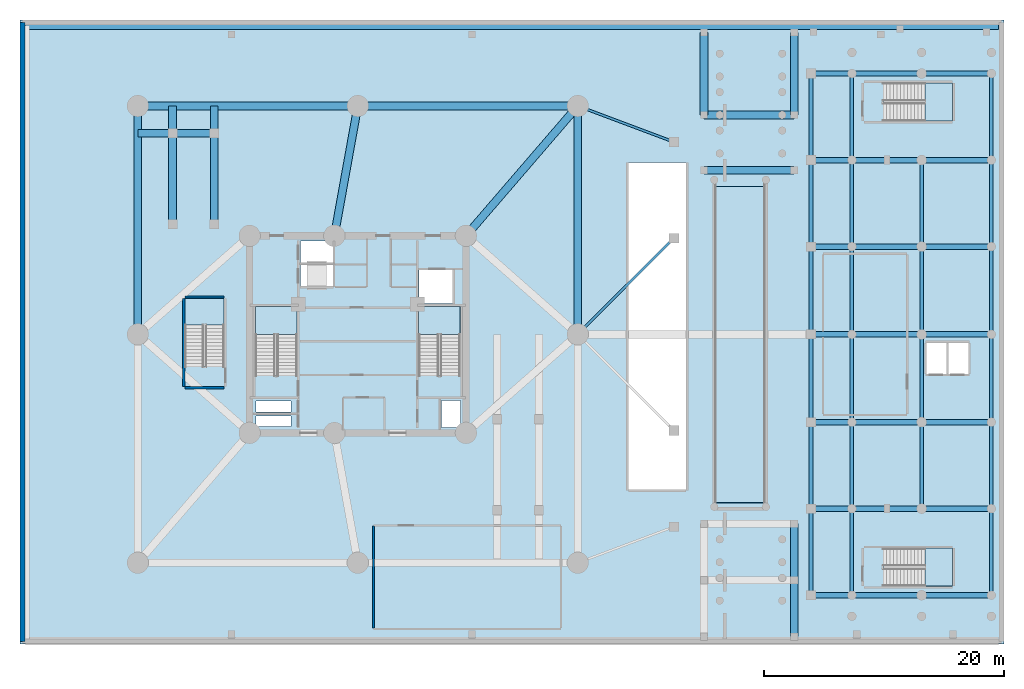
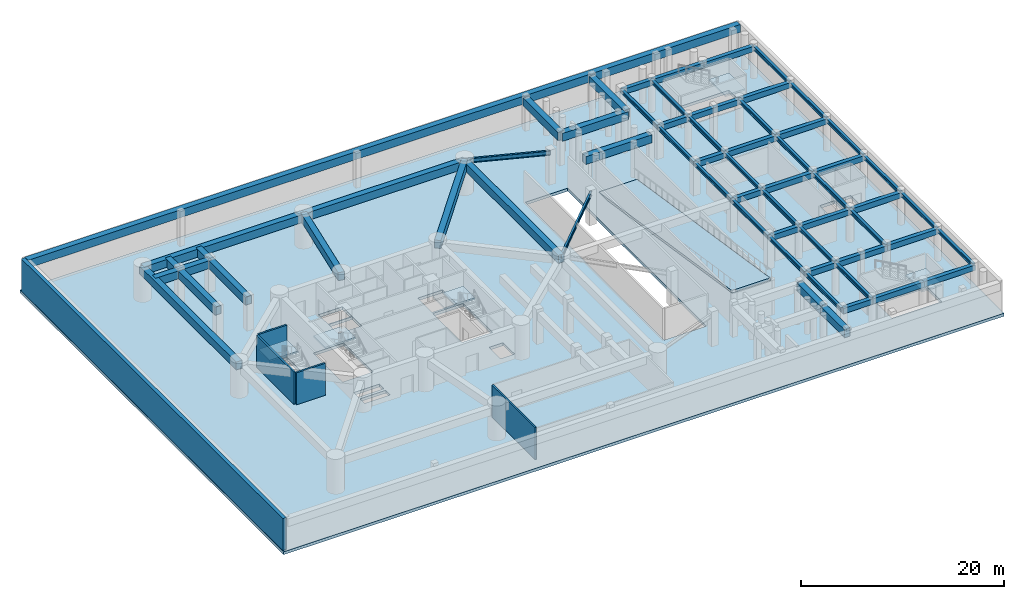
# One storey, part 2 of 11: 61 beams, 7 slabs, 5 walls, 5 elements without a shape of their own.
"""IFC4 building model written with IfcOpenShell, lengths in metres."""

from ifc_helpers import new_model, si_unit, direction, frame, frame_2d, origin, origin_with_axes, origin_2d, place, context, subcontext, project, spatial, polyline, rectangle, i_section, outline, extrude, source, transform, mapped, material, layer, layer_set, material_profile, profile_set, type_object, element, aggregate, save


model = new_model("IFC4")

# Units and contexts
model_context = context("Model", 3, precision=1e-05, world=origin(), true_north=direction((0.0, 1.0)))
body_context = subcontext(model_context, "Body", "Model", "MODEL_VIEW")
ifc_project = project(units=[si_unit("LENGTHUNIT", "METRE"), si_unit("AREAUNIT", "SQUARE_METRE"), si_unit("VOLUMEUNIT", "CUBIC_METRE"), si_unit("PLANEANGLEUNIT", "RADIAN"), si_unit("MASSUNIT", "GRAM", prefix="KILO")], contexts=[model_context])

# Site, building, storey
site_placement = place(None, origin())
site = spatial("IfcSite", under=ifc_project, at=site_placement, CompositionType="ELEMENT")
building_placement = place(site_placement, origin())
building = spatial("IfcBuilding", under=site, at=building_placement, Name="Karkom Vertical University and Central Library", CompositionType="ELEMENT")
storey_placement = place(building_placement, frame((0.0, 0.0, -4.199951171875)))
storey = spatial("IfcBuildingStorey", under=building, at=storey_placement, Name="B01", CompositionType="ELEMENT", Elevation=-4.199951171875)

# Beams
ifc_material_1 = material(Name="Concrete C50/60", Category="concrete")
ifc_material_profile_1 = material_profile(ifc_material_1, rectangle(XDim=0.64990234375, YDim=0.949951171875, at=origin_2d()), Name="RCG-650x950")
ifc_profile_set_1 = profile_set([ifc_material_profile_1], Name="Concrete C50/60")
beam_type_1 = type_object("IfcBeamType", Name="STR-BM-BG-1", PredefinedType="USERDEFINED", material=ifc_profile_set_1)
shared_shape_1 = source(origin_with_axes(), body_context, "Body", "SweptSolid", [
    extrude(rectangle(XDim=0.64990234375, YDim=0.949951171875, at=origin_2d()), origin(), (0.0, 0.0, 1.0), 18.300048828125),
])
for number, where, z_axis, x_axis, name in (
    (1, (10.199951171875, 45.5, 3.375), (1.0, 0.0, 0.0), (0.0, 1.0, 0.0), "Basement 01 Podium Primary Girder 07"),
    (2, (28.5, 45.5, 3.375), (1.0, 0.0, 0.0), (0.0, 1.0, 0.0), "Basement 01 Podium Primary Girder 08"),
):
    element("IfcBeam", number, at=place(storey_placement, frame(where, z_axis=z_axis, x_axis=x_axis)), inside=storey, type_object=beam_type_1, Name=name, ObjectType="GIRDER", PredefinedType="USERDEFINED", context=body_context, shape_type="MappedRepresentation", body=[
        mapped(shared_shape_1, transform((0.0, 0.0, 0.0), scale=1.0)),
    ])
shared_shape_2 = source(origin_with_axes(), body_context, "Body", "SweptSolid", [
    extrude(rectangle(XDim=0.64990234375, YDim=0.949951171875, at=origin_2d()), origin(), (0.0, 0.0, 1.0), 19.0),
])
for number, where, z_axis, x_axis, name in (
    (3, (10.199951171875, 26.5, 3.375), (0.0, 1.0, 0.0), (-1.0, 0.0, 0.0), "Basement 01 Podium Primary Girder 04"),
    (4, (46.800048828125, 26.5, 3.375), (0.0, 1.0, 0.0), (-1.0, 0.0, 0.0), "Basement 01 Podium Primary Girder 06"),
):
    element("IfcBeam", number, at=place(storey_placement, frame(where, z_axis=z_axis, x_axis=x_axis)), inside=storey, type_object=beam_type_1, Name=name, ObjectType="GIRDER", PredefinedType="USERDEFINED", context=body_context, shape_type="MappedRepresentation", body=[
        mapped(shared_shape_2, transform((0.0, 0.0, 0.0), scale=1.0)),
    ])
shared_shape_3 = source(origin_with_axes(), body_context, "Body", "SweptSolid", [
    extrude(rectangle(XDim=0.64990234375, YDim=0.949951171875, at=origin_2d()), origin(), (0.0, 0.0, 1.0), 14.25244140625),
])
beam_1_placement = place(storey_placement, frame((46.800048828125, 45.5, 3.375), z_axis=(-0.652523408586, -0.757768567076, 0.0), x_axis=(0.757768567076, -0.652523408586, 0.0)))
element("IfcBeam", 5, at=beam_1_placement, inside=storey, type_object=beam_type_1, Name="Basement 01 Podium Primary Girder 14", ObjectType="GIRDER", PredefinedType="USERDEFINED", context=body_context, shape_type="MappedRepresentation", body=[
    mapped(shared_shape_3, transform((0.0, 0.0, 0.0), scale=1.0)),
])
shared_shape_4 = source(origin_with_axes(), body_context, "Body", "SweptSolid", [
    extrude(rectangle(XDim=0.64990234375, YDim=0.949951171875, at=origin_2d()), origin(), (0.0, 0.0, 1.0), 10.974609375),
])
beam_2_placement = place(storey_placement, frame((28.5, 45.5, 3.375), z_axis=(-0.177677443813, -0.984088779511, 0.0), x_axis=(0.984088779511, -0.177677443813, 0.0)))
element("IfcBeam", 6, at=beam_2_placement, inside=storey, type_object=beam_type_1, Name="Basement 01 Podium Primary Girder 13", ObjectType="GIRDER", PredefinedType="USERDEFINED", context=body_context, shape_type="MappedRepresentation", body=[
    mapped(shared_shape_4, transform((0.0, 0.0, 0.0), scale=1.0)),
])
ifc_material_2 = material(Name="Steel S355", Category="steel")
ifc_material_profile_2 = material_profile(ifc_material_2, i_section(OverallWidth=0.199951171875, OverallDepth=0.5, WebThickness=0.01025390625, FlangeThickness=0.01611328125, FilletRadius=0.02099609375, at=origin_2d()), Name="IPE 500")
ifc_profile_set_2 = profile_set([ifc_material_profile_2], Name="Steel S355")
beam_type_2 = type_object("IfcBeamType", Name="STR-BM-SB-IPE500", PredefinedType="BEAM", material=ifc_profile_set_2)
shared_shape_5 = source(origin_with_axes(), body_context, "Body", "SweptSolid", [
    extrude(i_section(OverallWidth=0.199951171875, OverallDepth=0.5, WebThickness=0.01025390625, FlangeThickness=0.01611328125, FilletRadius=0.02099609375, at=origin_2d()), origin(), (0.0, 0.0, 1.0), 8.5439453125),
])
beam_3_placement = place(storey_placement, frame((46.800048828125, 45.5, 3.599853515625), z_axis=(0.936329177569, -0.351123441588, 0.0), x_axis=(0.351123441588, 0.936329177569, 0.0)))
element("IfcBeam", 7, at=beam_3_placement, inside=storey, type_object=beam_type_2, Name="Basement 01 Arcade Tie Beam 4", PredefinedType="BEAM", context=body_context, shape_type="MappedRepresentation", body=[
    mapped(shared_shape_5, transform((0.0, 0.0, 0.0), scale=1.0)),
])
shared_shape_6 = source(origin_with_axes(), body_context, "Body", "SweptSolid", [
    extrude(i_section(OverallWidth=0.199951171875, OverallDepth=0.5, WebThickness=0.01025390625, FlangeThickness=0.01611328125, FilletRadius=0.02099609375, at=origin_2d()), origin(), (0.0, 0.0, 1.0), 11.313720703125),
])
beam_4_placement = place(storey_placement, frame((46.800048828125, 26.5, 3.599853515625), z_axis=(0.707106781187, 0.707106781187, 0.0), x_axis=(-0.707106781187, 0.707106781187, 0.0)))
element("IfcBeam", 8, at=beam_4_placement, inside=storey, type_object=beam_type_2, Name="Basement 01 Arcade Tie Beam 3", PredefinedType="BEAM", context=body_context, shape_type="MappedRepresentation", body=[
    mapped(shared_shape_6, transform((0.0, 0.0, 0.0), scale=1.0)),
])
shared_shape_7 = source(origin_with_axes(), body_context, "Body", "SweptSolid", [
    extrude(rectangle(XDim=0.64990234375, YDim=0.949951171875, at=origin_2d()), origin(), (0.0, 0.0, 1.0), 80.949951171875),
])
beam_5_placement = place(storey_placement, frame((0.85009765625, 52.199951171875, 3.375), z_axis=(1.0, 0.0, 0.0), x_axis=(0.0, 1.0, 0.0)))
element("IfcBeam", 9, at=beam_5_placement, inside=storey, type_object=beam_type_1, Name="Basement 01 North Perimeter Rim Girder", ObjectType="GIRDER", PredefinedType="USERDEFINED", context=body_context, shape_type="MappedRepresentation", body=[
    mapped(shared_shape_7, transform((0.0, 0.0, 0.0), scale=1.0)),
])
shared_shape_8 = source(origin_with_axes(), body_context, "Body", "SweptSolid", [
    extrude(rectangle(XDim=0.64990234375, YDim=0.949951171875, at=origin_2d()), origin(), (0.0, 0.0, 1.0), 4.699951171875),
])
for number, where, z_axis, x_axis, name in (
    (10, (64.800048828125, 1.35009765625, 3.375), (0.0, 1.0, 0.0), (-1.0, 0.0, 0.0), "Basement 01 Forecourt Longitudinal Girder 2.1"),
    (11, (64.800048828125, 6.050048828125, 3.375), (0.0, 1.0, 0.0), (-1.0, 0.0, 0.0), "Basement 01 Forecourt Longitudinal Girder 2.2"),
):
    element("IfcBeam", number, at=place(storey_placement, frame(where, z_axis=z_axis, x_axis=x_axis)), inside=storey, type_object=beam_type_1, Name=name, ObjectType="GIRDER", PredefinedType="USERDEFINED", context=body_context, shape_type="MappedRepresentation", body=[
        mapped(shared_shape_8, transform((0.0, 0.0, 0.0), scale=1.0)),
    ])
shared_shape_9 = source(origin_with_axes(), body_context, "Body", "SweptSolid", [
    extrude(rectangle(XDim=0.64990234375, YDim=0.949951171875, at=origin_2d()), origin(), (0.0, 0.0, 1.0), 7.5),
])
for number, where, z_axis, x_axis, name in (
    (12, (57.300048828125, 40.14990234375, 3.375), (1.0, 0.0, 0.0), (0.0, 1.0, 0.0), "Basement 01 Forecourt Transverse Girder 4"),
    (13, (57.300048828125, 44.75, 3.375), (1.0, 0.0, 0.0), (0.0, 1.0, 0.0), "Basement 01 Forecourt Transverse Girder 5"),
):
    element("IfcBeam", number, at=place(storey_placement, frame(where, z_axis=z_axis, x_axis=x_axis)), inside=storey, type_object=beam_type_1, Name=name, ObjectType="GIRDER", PredefinedType="USERDEFINED", context=body_context, shape_type="MappedRepresentation", body=[
        mapped(shared_shape_9, transform((0.0, 0.0, 0.0), scale=1.0)),
    ])
shared_shape_10 = source(origin_with_axes(), body_context, "Body", "SweptSolid", [
    extrude(rectangle(XDim=0.64990234375, YDim=0.949951171875, at=origin_2d()), origin(), (0.0, 0.0, 1.0), 6.85009765625),
])
for number, where, z_axis, x_axis, name in (
    (14, (57.300048828125, 44.75, 3.375), (0.0, 1.0, 0.0), (-1.0, 0.0, 0.0), "Basement 01 Forecourt Longitudinal Girder 1.5"),
    (15, (64.800048828125, 44.75, 3.375), (0.0, 1.0, 0.0), (-1.0, 0.0, 0.0), "Basement 01 Forecourt Longitudinal Girder 2.5"),
):
    element("IfcBeam", number, at=place(storey_placement, frame(where, z_axis=z_axis, x_axis=x_axis)), inside=storey, type_object=beam_type_1, Name=name, ObjectType="GIRDER", PredefinedType="USERDEFINED", context=body_context, shape_type="MappedRepresentation", body=[
        mapped(shared_shape_10, transform((0.0, 0.0, 0.0), scale=1.0)),
    ])
ifc_material_3 = material(Name="Concrete C40/50", Category="concrete")
ifc_material_profile_3 = material_profile(ifc_material_3, rectangle(XDim=0.449951171875, YDim=0.64990234375, at=origin_2d()), Name="RCB-450x650")
ifc_profile_set_3 = profile_set([ifc_material_profile_3], Name="Concrete C40/50")
beam_type_3 = type_object("IfcBeamType", Name="STR-BM-BG-4", PredefinedType="USERDEFINED", material=ifc_profile_set_3)
shared_shape_11 = source(origin_with_axes(), body_context, "Body", "SweptSolid", [
    extrude(rectangle(XDim=0.449951171875, YDim=0.64990234375, at=origin_2d()), origin(), (0.0, 0.0, 1.0), 3.400146484375),
])
for number, where, z_axis, x_axis, name in (
    (16, (66.199951171875, 4.800048828125, 3.52490234375), (1.0, 0.0, 0.0), (0.0, 1.0, 0.0), "Basement 01 Library Transverse Girder 1.1"),
    (17, (66.199951171875, 12.0, 3.52490234375), (1.0, 0.0, 0.0), (0.0, 1.0, 0.0), "Basement 01 Library Transverse Girder 2.1"),
    (18, (66.199951171875, 19.199951171875, 3.52490234375), (1.0, 0.0, 0.0), (0.0, 1.0, 0.0), "Basement 01 Library Transverse Girder 3.1"),
    (19, (66.199951171875, 26.5, 3.52490234375), (1.0, 0.0, 0.0), (0.0, 1.0, 0.0), "Basement 01 Library Transverse Girder 4.1"),
    (20, (66.199951171875, 33.800048828125, 3.52490234375), (1.0, 0.0, 0.0), (0.0, 1.0, 0.0), "Basement 01 Library Transverse Girder 5.1"),
    (21, (66.199951171875, 41.0, 3.52490234375), (1.0, 0.0, 0.0), (0.0, 1.0, 0.0), "Basement 01 Library Transverse Girder 6.1"),
    (22, (66.199951171875, 48.199951171875, 3.52490234375), (1.0, 0.0, 0.0), (0.0, 1.0, 0.0), "Basement 01 Library Transverse Girder 7.1"),
):
    element("IfcBeam", number, at=place(storey_placement, frame(where, z_axis=z_axis, x_axis=x_axis)), inside=storey, type_object=beam_type_3, Name=name, ObjectType="GIRDER", PredefinedType="USERDEFINED", context=body_context, shape_type="MappedRepresentation", body=[
        mapped(shared_shape_11, transform((0.0, 0.0, 0.0), scale=1.0)),
    ])
shared_shape_12 = source(origin_with_axes(), body_context, "Body", "SweptSolid", [
    extrude(rectangle(XDim=0.449951171875, YDim=0.64990234375, at=origin_2d()), origin(), (0.0, 0.0, 1.0), 5.7998046875),
])
for number, where, z_axis, x_axis, name in (
    (23, (69.60009765625, 4.800048828125, 3.52490234375), (1.0, 0.0, 0.0), (0.0, 1.0, 0.0), "Basement 01 Library Transverse Girder 1.2"),
    (24, (69.60009765625, 12.0, 3.52490234375), (1.0, 0.0, 0.0), (0.0, 1.0, 0.0), "Basement 01 Library Transverse Girder 2.2"),
    (25, (69.60009765625, 19.199951171875, 3.52490234375), (1.0, 0.0, 0.0), (0.0, 1.0, 0.0), "Basement 01 Library Transverse Girder 3.2"),
    (26, (69.60009765625, 26.5, 3.52490234375), (1.0, 0.0, 0.0), (0.0, 1.0, 0.0), "Basement 01 Library Transverse Girder 4.2"),
    (27, (69.60009765625, 33.800048828125, 3.52490234375), (1.0, 0.0, 0.0), (0.0, 1.0, 0.0), "Basement 01 Library Transverse Girder 5.2"),
    (28, (69.60009765625, 41.0, 3.52490234375), (1.0, 0.0, 0.0), (0.0, 1.0, 0.0), "Basement 01 Library Transverse Girder 6.2"),
    (29, (69.60009765625, 48.199951171875, 3.52490234375), (1.0, 0.0, 0.0), (0.0, 1.0, 0.0), "Basement 01 Library Transverse Girder 7.2"),
):
    element("IfcBeam", number, at=place(storey_placement, frame(where, z_axis=z_axis, x_axis=x_axis)), inside=storey, type_object=beam_type_3, Name=name, ObjectType="GIRDER", PredefinedType="USERDEFINED", context=body_context, shape_type="MappedRepresentation", body=[
        mapped(shared_shape_12, transform((0.0, 0.0, 0.0), scale=1.0)),
    ])
shared_shape_13 = source(origin_with_axes(), body_context, "Body", "SweptSolid", [
    extrude(rectangle(XDim=0.449951171875, YDim=0.64990234375, at=origin_2d()), origin(), (0.0, 0.0, 1.0), 5.800048828125),
])
for number, where, z_axis, x_axis, name in (
    (30, (75.39990234375, 4.800048828125, 3.52490234375), (1.0, 0.0, 0.0), (0.0, 1.0, 0.0), "Basement 01 Library Transverse Girder 1.3"),
    (31, (75.39990234375, 12.0, 3.52490234375), (1.0, 0.0, 0.0), (0.0, 1.0, 0.0), "Basement 01 Library Transverse Girder 2.3"),
    (32, (75.39990234375, 19.199951171875, 3.52490234375), (1.0, 0.0, 0.0), (0.0, 1.0, 0.0), "Basement 01 Library Transverse Girder 3.3"),
    (33, (75.39990234375, 26.5, 3.52490234375), (1.0, 0.0, 0.0), (0.0, 1.0, 0.0), "Basement 01 Library Transverse Girder 4.3"),
    (34, (75.39990234375, 33.800048828125, 3.52490234375), (1.0, 0.0, 0.0), (0.0, 1.0, 0.0), "Basement 01 Library Transverse Girder 5.3"),
    (35, (75.39990234375, 41.0, 3.52490234375), (1.0, 0.0, 0.0), (0.0, 1.0, 0.0), "Basement 01 Library Transverse Girder 6.3"),
    (36, (75.39990234375, 48.199951171875, 3.52490234375), (1.0, 0.0, 0.0), (0.0, 1.0, 0.0), "Basement 01 Library Transverse Girder 7.3"),
):
    element("IfcBeam", number, at=place(storey_placement, frame(where, z_axis=z_axis, x_axis=x_axis)), inside=storey, type_object=beam_type_3, Name=name, ObjectType="GIRDER", PredefinedType="USERDEFINED", context=body_context, shape_type="MappedRepresentation", body=[
        mapped(shared_shape_13, transform((0.0, 0.0, 0.0), scale=1.0)),
    ])
ifc_material_profile_4 = material_profile(ifc_material_2, i_section(OverallWidth=0.300048828125, OverallDepth=0.449951171875, WebThickness=0.013916015625, FlangeThickness=0.02587890625, FilletRadius=0.027099609375, at=origin_2d()), Name="HE 450 B")
ifc_profile_set_4 = profile_set([ifc_material_profile_4], Name="Steel S355")
beam_type_4 = type_object("IfcBeamType", Name="STR-BM-SB-HE450", PredefinedType="BEAM", material=ifc_profile_set_4)
shared_shape_14 = source(origin_with_axes(), body_context, "Body", "SweptSolid", [
    extrude(i_section(OverallWidth=0.300048828125, OverallDepth=0.449951171875, WebThickness=0.013916015625, FlangeThickness=0.02587890625, FilletRadius=0.027099609375, at=origin_2d()), origin(), (0.0, 0.0, 1.0), 7.199951171875),
])
for number, where, z_axis, x_axis, name in (
    (37, (66.199951171875, 4.800048828125, 3.625), (0.0, 1.0, 0.0), (-1.0, 0.0, 0.0), "Basement 01 Library Longitudinal Beam 1.1"),
    (38, (66.199951171875, 12.0, 3.625), (0.0, 1.0, 0.0), (-1.0, 0.0, 0.0), "Basement 01 Library Longitudinal Beam 1.2"),
    (39, (66.199951171875, 33.800048828125, 3.625), (0.0, 1.0, 0.0), (-1.0, 0.0, 0.0), "Basement 01 Library Longitudinal Beam 1.5"),
    (40, (66.199951171875, 41.0, 3.625), (0.0, 1.0, 0.0), (-1.0, 0.0, 0.0), "Basement 01 Library Longitudinal Beam 1.6"),
    (41, (69.60009765625, 4.800048828125, 3.625), (0.0, 1.0, 0.0), (-1.0, 0.0, 0.0), "Basement 01 Library Longitudinal Beam 2.1"),
    (42, (69.60009765625, 12.0, 3.625), (0.0, 1.0, 0.0), (-1.0, 0.0, 0.0), "Basement 01 Library Longitudinal Beam 2.2"),
    (43, (69.60009765625, 33.800048828125, 3.625), (0.0, 1.0, 0.0), (-1.0, 0.0, 0.0), "Basement 01 Library Longitudinal Beam 2.5"),
    (44, (69.60009765625, 41.0, 3.625), (0.0, 1.0, 0.0), (-1.0, 0.0, 0.0), "Basement 01 Library Longitudinal Beam 2.6"),
    (45, (75.39990234375, 12.0, 3.625), (0.0, 1.0, 0.0), (-1.0, 0.0, 0.0), "Basement 01 Library Longitudinal Beam 3.2"),
    (46, (75.39990234375, 33.800048828125, 3.625), (0.0, 1.0, 0.0), (-1.0, 0.0, 0.0), "Basement 01 Library Longitudinal Beam 3.5"),
    (47, (81.199951171875, 4.800048828125, 3.625), (0.0, 1.0, 0.0), (-1.0, 0.0, 0.0), "Basement 01 Library Longitudinal Beam 4.1"),
    (48, (81.199951171875, 12.0, 3.625), (0.0, 1.0, 0.0), (-1.0, 0.0, 0.0), "Basement 01 Library Longitudinal Beam 4.2"),
    (49, (81.199951171875, 33.800048828125, 3.625), (0.0, 1.0, 0.0), (-1.0, 0.0, 0.0), "Basement 01 Library Longitudinal Beam 4.5"),
    (50, (81.199951171875, 41.0, 3.625), (0.0, 1.0, 0.0), (-1.0, 0.0, 0.0), "Basement 01 Library Longitudinal Beam 4.6"),
):
    element("IfcBeam", number, at=place(storey_placement, frame(where, z_axis=z_axis, x_axis=x_axis)), inside=storey, type_object=beam_type_4, Name=name, PredefinedType="BEAM", context=body_context, shape_type="MappedRepresentation", body=[
        mapped(shared_shape_14, transform((0.0, 0.0, 0.0), scale=1.0)),
    ])
shared_shape_15 = source(origin_with_axes(), body_context, "Body", "SweptSolid", [
    extrude(i_section(OverallWidth=0.300048828125, OverallDepth=0.449951171875, WebThickness=0.013916015625, FlangeThickness=0.02587890625, FilletRadius=0.027099609375, at=origin_2d()), origin(), (0.0, 0.0, 1.0), 7.300048828125),
])
for number, where, z_axis, x_axis, name in (
    (51, (66.199951171875, 19.199951171875, 3.625), (0.0, 1.0, 0.0), (-1.0, 0.0, 0.0), "Basement 01 Library Longitudinal Beam 1.3"),
    (52, (66.199951171875, 26.5, 3.625), (0.0, 1.0, 0.0), (-1.0, 0.0, 0.0), "Basement 01 Library Longitudinal Beam 1.4"),
    (53, (69.60009765625, 19.199951171875, 3.625), (0.0, 1.0, 0.0), (-1.0, 0.0, 0.0), "Basement 01 Library Longitudinal Beam 2.3"),
    (54, (69.60009765625, 26.5, 3.625), (0.0, 1.0, 0.0), (-1.0, 0.0, 0.0), "Basement 01 Library Longitudinal Beam 2.4"),
    (55, (75.39990234375, 19.199951171875, 3.625), (0.0, 1.0, 0.0), (-1.0, 0.0, 0.0), "Basement 01 Library Longitudinal Beam 3.3"),
    (56, (75.39990234375, 26.5, 3.625), (0.0, 1.0, 0.0), (-1.0, 0.0, 0.0), "Basement 01 Library Longitudinal Beam 3.4"),
    (57, (81.199951171875, 19.199951171875, 3.625), (0.0, 1.0, 0.0), (-1.0, 0.0, 0.0), "Basement 01 Library Longitudinal Beam 4.3"),
    (58, (81.199951171875, 26.5, 3.625), (0.0, 1.0, 0.0), (-1.0, 0.0, 0.0), "Basement 01 Library Longitudinal Beam 4.4"),
):
    element("IfcBeam", number, at=place(storey_placement, frame(where, z_axis=z_axis, x_axis=x_axis)), inside=storey, type_object=beam_type_4, Name=name, PredefinedType="BEAM", context=body_context, shape_type="MappedRepresentation", body=[
        mapped(shared_shape_15, transform((0.0, 0.0, 0.0), scale=1.0)),
    ])
shared_shape_16 = source(origin_with_axes(), body_context, "Body", "SweptSolid", [
    extrude(rectangle(XDim=0.64990234375, YDim=0.949951171875, at=origin_2d()), origin(), (0.0, 0.0, 1.0), 9.824951171875),
])
for number, where, z_axis, x_axis, name in (
    (59, (13.094970703125, 35.675048828125, 3.375), (0.0, 1.0, 0.0), (-1.0, 0.0, 0.0), "Basement 01 Podium Stair POD2 West Transfer Girder"),
    (60, (16.56494140625, 35.675048828125, 3.375), (0.0, 1.0, 0.0), (-1.0, 0.0, 0.0), "Basement 01 Podium Stair POD2 East Transfer Girder"),
):
    element("IfcBeam", number, at=place(storey_placement, frame(where, z_axis=z_axis, x_axis=x_axis)), inside=storey, type_object=beam_type_1, Name=name, ObjectType="GIRDER", PredefinedType="USERDEFINED", context=body_context, shape_type="MappedRepresentation", body=[
        mapped(shared_shape_16, transform((0.0, 0.0, 0.0), scale=1.0)),
    ])
shared_shape_17 = source(origin_with_axes(), body_context, "Body", "SweptSolid", [
    extrude(rectangle(XDim=0.64990234375, YDim=0.949951171875, at=origin_2d()), origin(), (0.0, 0.0, 1.0), 6.364990234375),
])
beam_6_placement = place(storey_placement, frame((10.199951171875, 43.235107421875, 3.375), z_axis=(1.0, 0.0, 0.0), x_axis=(0.0, 1.0, 0.0)))
element("IfcBeam", 61, at=beam_6_placement, inside=storey, type_object=beam_type_1, Name="Basement 01 Podium Stair POD2 North Transfer Girder", ObjectType="GIRDER", PredefinedType="USERDEFINED", context=body_context, shape_type="MappedRepresentation", body=[
    mapped(shared_shape_17, transform((0.0, 0.0, 0.0), scale=1.0)),
])

# Stair, slab
ifc_material_4 = material(Name="Concrete C45/55", Category="concrete")
stair_type_1 = type_object("IfcStairType", Name="INT-STR-ST-MAIN", PredefinedType="HALF_TURN_STAIR", material=ifc_material_4)
stair_1_placement = place(storey_placement, origin())
stair_1 = element("IfcStair", 62, at=stair_1_placement, inside=storey, type_object=stair_type_1, Name="Basement 01 Tower Protected Exit Stair ST-1", PredefinedType="HALF_TURN_STAIR")
ifc_layer_1 = layer(ifc_material_4, 0.199951171875)
ifc_layer_set_1 = layer_set([ifc_layer_1], Name="Concrete C45/55")
slab_type_1 = type_object("IfcSlabType", Name="INT-SLB-LANDING", PredefinedType="LANDING", material=ifc_layer_set_1)
slab_1_placement = place(storey_placement, frame((0.0, 0.0, 1.89990234375)))
slab_1 = element("IfcSlab", 63, at=slab_1_placement, type_object=slab_type_1, Name="ST-1 landing 1", PredefinedType="LANDING", context=body_context, shape_type="SweptSolid", body=[
    extrude(outline(polyline([(23.43994140625, 26.5), (23.43994140625, 28.820068359375), (19.97998046875, 28.820068359375), (19.97998046875, 26.5), (23.43994140625, 26.5)])), origin(), (0.0, 0.0, 1.0), 0.199951171875),
])
aggregate(stair_1, [slab_1])

stair_2_placement = place(storey_placement, origin())
stair_2 = element("IfcStair", 64, at=stair_2_placement, inside=storey, type_object=stair_type_1, Name="Basement 01 Tower Protected Exit Stair ST-2", PredefinedType="HALF_TURN_STAIR")
slab_2_placement = place(storey_placement, frame((0.0, 0.0, 1.89990234375)))
slab_2 = element("IfcSlab", 65, at=slab_2_placement, type_object=slab_type_1, Name="ST-2 landing 1", PredefinedType="LANDING", context=body_context, shape_type="SweptSolid", body=[
    extrude(outline(polyline([(37.02001953125, 26.5), (37.02001953125, 28.820068359375), (33.56005859375, 28.820068359375), (33.56005859375, 26.5), (37.02001953125, 26.5)])), origin(), (0.0, 0.0, 1.0), 0.199951171875),
])
aggregate(stair_2, [slab_2])

stair_type_2 = type_object("IfcStairType", Name="INT-STR-ST-SEC", PredefinedType="HALF_TURN_STAIR", material=ifc_material_4)
stair_3_placement = place(storey_placement, origin())
stair_3 = element("IfcStair", 66, at=stair_3_placement, inside=storey, type_object=stair_type_2, Name="Basement 01 Academic Zone Protected Exit Stair ST-3", PredefinedType="HALF_TURN_STAIR")
slab_3_placement = place(storey_placement, frame((0.0, 0.0, 1.89990234375)))
slab_3 = element("IfcSlab", 67, at=slab_3_placement, type_object=slab_type_1, Name="ST-3 landing 1", PredefinedType="LANDING", context=body_context, shape_type="SweptSolid", body=[
    extrude(outline(polyline([(17.3798828125, 27.280029296875), (17.3798828125, 29.5), (14.1201171875, 29.5), (14.1201171875, 27.280029296875), (17.3798828125, 27.280029296875)])), origin(), (0.0, 0.0, 1.0), 0.199951171875),
])
aggregate(stair_3, [slab_3])

stair_type_3 = type_object("IfcStairType", Name="INT-STR-ST-LIB", PredefinedType="HALF_TURN_STAIR", material=ifc_material_4)
stair_4_placement = place(storey_placement, origin())
stair_4 = element("IfcStair", 68, at=stair_4_placement, inside=storey, type_object=stair_type_3, Name="Basement 01 Central Library South Exit Stair LIB-ST1", PredefinedType="HALF_TURN_STAIR")
slab_4_placement = place(storey_placement, frame((0.0, 0.0, 1.89990234375)))
slab_4 = element("IfcSlab", 69, at=slab_4_placement, type_object=slab_type_1, Name="LIB-ST1 landing 1", PredefinedType="LANDING", context=body_context, shape_type="SweptSolid", body=[
    extrude(outline(polyline([(75.679931640625, 5.550048828125), (77.949951171875, 5.550048828125), (77.949951171875, 8.7099609375), (75.679931640625, 8.7099609375), (75.679931640625, 5.550048828125)])), origin(), (0.0, 0.0, 1.0), 0.199951171875),
])
aggregate(stair_4, [slab_4])

stair_5_placement = place(storey_placement, origin())
stair_5 = element("IfcStair", 70, at=stair_5_placement, inside=storey, type_object=stair_type_3, Name="Basement 01 Central Library North Exit Stair LIB-ST2", PredefinedType="HALF_TURN_STAIR")
slab_5_placement = place(storey_placement, frame((0.0, 0.0, 1.89990234375)))
slab_5 = element("IfcSlab", 71, at=slab_5_placement, type_object=slab_type_1, Name="LIB-ST2 landing 1", PredefinedType="LANDING", context=body_context, shape_type="SweptSolid", body=[
    extrude(outline(polyline([(75.679931640625, 44.25), (77.949951171875, 44.25), (77.949951171875, 47.409912109375), (75.679931640625, 47.409912109375), (75.679931640625, 44.25)])), origin(), (0.0, 0.0, 1.0), 0.199951171875),
])
aggregate(stair_5, [slab_5])

# Slabs
ifc_layer_2 = layer(ifc_material_4, 0.27490234375)
ifc_layer_set_2 = layer_set([ifc_layer_2], Name="Concrete C45/55")
slab_type_2 = type_object("IfcSlabType", Name="STR-SLB-FLR-275", PredefinedType="FLOOR", material=ifc_layer_set_2)
slab_6_placement = place(storey_placement, frame((58.1201171875, 38.780029296875, -0.010009765625), z_axis=(0.0, 0.15205856525, 0.988371485189), x_axis=(1.0, 0.0, 0.0)))
element("IfcSlab", 72, at=slab_6_placement, inside=storey, type_object=slab_type_2, Name="Basement 01 Car Park Vehicle Ramp VR-1 Flight 2 Structural Slab", PredefinedType="FLOOR", context=body_context, shape_type="SweptSolid", body=[
    extrude(outline(polyline([(0.0, 0.0), (4.35986328125, 0.0), (4.35986328125, -26.568967396518186), (0.0, -26.568967396518186), (0.0, 0.0)])), origin(), (0.0, 0.0, -1.0), 0.27490234375),
])
ifc_layer_3 = layer(ifc_material_1, 0.35009765625)
ifc_layer_set_3 = layer_set([ifc_layer_3], Name="Concrete C50/60")
slab_type_3 = type_object("IfcSlabType", Name="STR-SLB-FLR-350", PredefinedType="FLOOR", material=ifc_layer_set_3)
slab_7_placement = place(storey_placement, frame((0.0, 0.0, -0.35009765625)))
element("IfcSlab", 73, at=slab_7_placement, inside=storey, type_object=slab_type_3, Name="Basement 01 Basement Structural Floor Slab", PredefinedType="FLOOR", context=body_context, shape_type="SweptSolid", body=[
    extrude(outline(polyline([(0.39990234375, 0.75), (82.25, 0.75), (82.25, 52.64990234375), (0.39990234375, 52.64990234375), (0.39990234375, 0.75)]), holes=[polyline([(19.97998046875, 23.0849609375), (23.43994140625, 23.0849609375), (23.43994140625, 28.820068359375), (19.97998046875, 28.820068359375), (19.97998046875, 23.0849609375)]), polyline([(33.56005859375, 23.0849609375), (37.02001953125, 23.0849609375), (37.02001953125, 28.820068359375), (33.56005859375, 28.820068359375), (33.56005859375, 23.0849609375)]), polyline([(14.1201171875, 23.864990234375), (17.3798828125, 23.864990234375), (17.3798828125, 29.5), (14.1201171875, 29.5), (14.1201171875, 23.864990234375)]), polyline([(72.264892578125, 5.550048828125), (77.949951171875, 5.550048828125), (77.949951171875, 8.7099609375), (72.264892578125, 8.7099609375), (72.264892578125, 5.550048828125)]), polyline([(72.264892578125, 44.25), (77.949951171875, 44.25), (77.949951171875, 47.409912109375), (72.264892578125, 47.409912109375), (72.264892578125, 44.25)]), polyline([(23.719970703125, 30.47998046875), (26.429931640625, 30.47998046875), (26.429931640625, 32.320068359375), (23.719970703125, 32.320068359375), (23.719970703125, 30.47998046875)]), polyline([(23.719970703125, 32.419921875), (26.429931640625, 32.419921875), (26.429931640625, 34.260009765625), (23.719970703125, 34.260009765625), (23.719970703125, 32.419921875)]), polyline([(33.60009765625, 29.050048828125), (36.39990234375, 29.050048828125), (36.39990234375, 31.85009765625), (33.60009765625, 31.85009765625), (33.60009765625, 29.050048828125)]), polyline([(75.800048828125, 23.199951171875), (77.47998046875, 23.199951171875), (77.47998046875, 25.800048828125), (75.800048828125, 25.800048828125), (75.800048828125, 23.199951171875)]), polyline([(77.6201171875, 23.199951171875), (79.300048828125, 23.199951171875), (79.300048828125, 25.800048828125), (77.6201171875, 25.800048828125), (77.6201171875, 23.199951171875)]), polyline([(20.050048828125, 18.820068359375), (22.949951171875, 18.820068359375), (22.949951171875, 19.719970703125), (20.050048828125, 19.719970703125), (20.050048828125, 18.820068359375)]), polyline([(20.050048828125, 20.06005859375), (22.949951171875, 20.06005859375), (22.949951171875, 20.9599609375), (20.050048828125, 20.9599609375), (20.050048828125, 20.06005859375)]), polyline([(35.4599609375, 18.760009765625), (37.0400390625, 18.760009765625), (37.0400390625, 21.010009765625), (35.4599609375, 21.010009765625), (35.4599609375, 18.760009765625)]), polyline([(51.0, 13.5), (55.800048828125, 13.5), (55.800048828125, 40.800048828125), (51.0, 40.800048828125), (51.0, 13.5)])]), origin(), (0.0, 0.0, 1.0), 0.35009765625),
])

# Walls
ifc_material_5 = material(Name="Twin-stud acoustic drywall 180mm", Category="gypsum")
ifc_layer_4 = layer(ifc_material_5, 0.179931640625)
ifc_layer_set_4 = layer_set([ifc_layer_4], Name="Twin-stud acoustic drywall 180mm")
wall_type_1 = type_object("IfcWallType", Name="INT-WL-TEN-180F", PredefinedType="PARTITIONING", material=ifc_layer_set_4)
wall_1_placement = place(storey_placement, frame((29.800048828125, 2.06005859375, 0.0), z_axis=(0.0, 0.0, 1.0), x_axis=(0.0, 1.0, 0.0)))
element("IfcWall", 74, at=wall_1_placement, inside=storey, type_object=wall_type_1, Name="Basement 01 Interior Partition Wall B01-PW-PLTW-W", PredefinedType="PARTITIONING", context=body_context, shape_type="SweptSolid", body=[
    extrude(rectangle(XDim=8.47998046875, YDim=0.179931640625, at=frame_2d((4.239990234375, 0.0))), origin(), (0.0, 0.0, 1.0), 3.849853515625),
])
ifc_layer_5 = layer(ifc_material_1, 0.39990234375)
ifc_layer_set_5 = layer_set([ifc_layer_5], Name="Concrete C50/60")
wall_type_2 = type_object("IfcWallType", Name="STR-WL-RW-400", PredefinedType="USERDEFINED", material=ifc_layer_set_5)
wall_2_placement = place(storey_placement, frame((0.6201171875, 52.429931640625, 0.0), z_axis=(0.0, 0.0, 1.0), x_axis=(0.0, -1.0, 0.0)))
element("IfcWall", 75, at=wall_2_placement, inside=storey, type_object=wall_type_2, Name="Basement 01 Perimeter Retaining Wall 4", ObjectType="RETAINING WALL", PredefinedType="USERDEFINED", context=body_context, shape_type="SweptSolid", body=[
    extrude(rectangle(XDim=51.4599609375, YDim=0.39990234375, at=frame_2d((25.72998046875, 0.0))), origin(), (0.0, 0.0, 1.0), 3.849853515625),
])
ifc_layer_6 = layer(ifc_material_4, 0.199951171875)
ifc_layer_set_6 = layer_set([ifc_layer_6], Name="Concrete C45/55")
wall_type_3 = type_object("IfcWallType", Name="STR-WL-ST-200", PredefinedType="SHEAR", material=ifc_layer_set_6)
wall_3_placement = place(storey_placement, frame((14.014892578125, 22.14990234375, 0.0), z_axis=(0.0, 0.0, 1.0), x_axis=(0.0, 1.0, 0.0)))
element("IfcWall", 76, at=wall_3_placement, inside=storey, type_object=wall_type_3, Name="Basement 01 Core Shaft Wall B01-W-ST3-W", PredefinedType="SHEAR", context=body_context, shape_type="SweptSolid", body=[
    extrude(rectangle(XDim=7.35009765625, YDim=0.199951171875, at=frame_2d((3.675048828125, 0.0))), origin(), (0.0, 0.0, 1.0), 3.849853515625),
])
for number, where, z_axis, x_axis, name in (
    (77, (14.1201171875, 22.044921875, 0.0), (0.0, 0.0, 1.0), (1.0, 0.0, 0.0), "Basement 01 Core Shaft Wall B01-W-ST3-S"),
    (78, (14.1201171875, 29.60498046875, 0.0), (0.0, 0.0, 1.0), (1.0, 0.0, 0.0), "Basement 01 Core Shaft Wall B01-W-ST3-N"),
):
    element("IfcWall", number, at=place(storey_placement, frame(where, z_axis=z_axis, x_axis=x_axis)), inside=storey, type_object=wall_type_3, Name=name, PredefinedType="SHEAR", context=body_context, shape_type="SweptSolid", body=[
        extrude(rectangle(XDim=3.259765625, YDim=0.199951171875, at=frame_2d((1.6298828125, 0.0))), origin(), (0.0, 0.0, 1.0), 3.849853515625),
    ])

save(model, "model.ifc")
